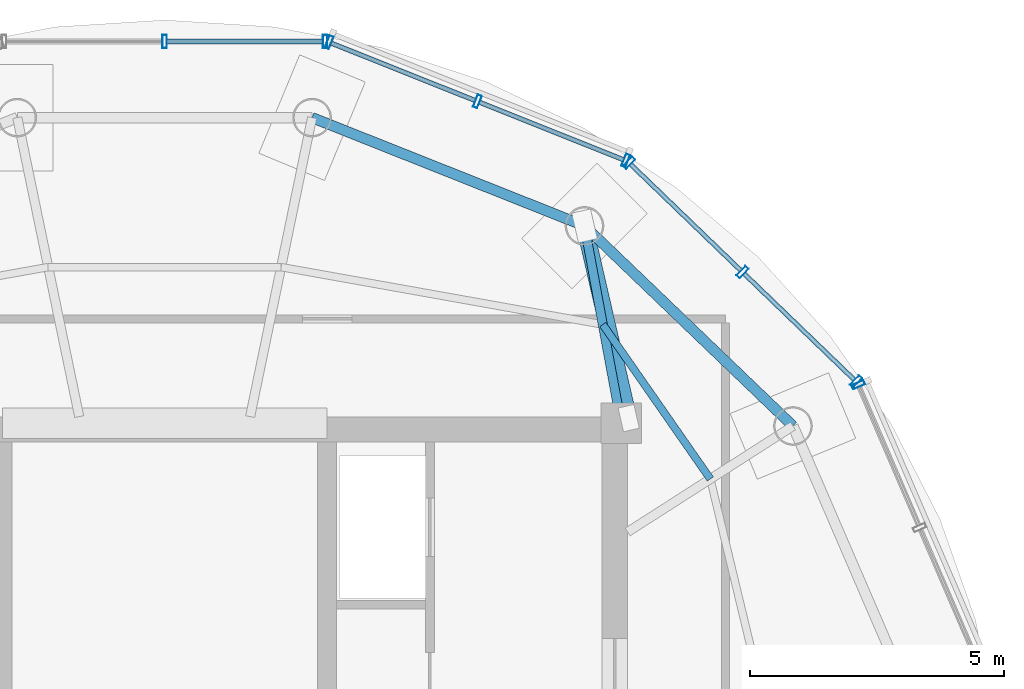
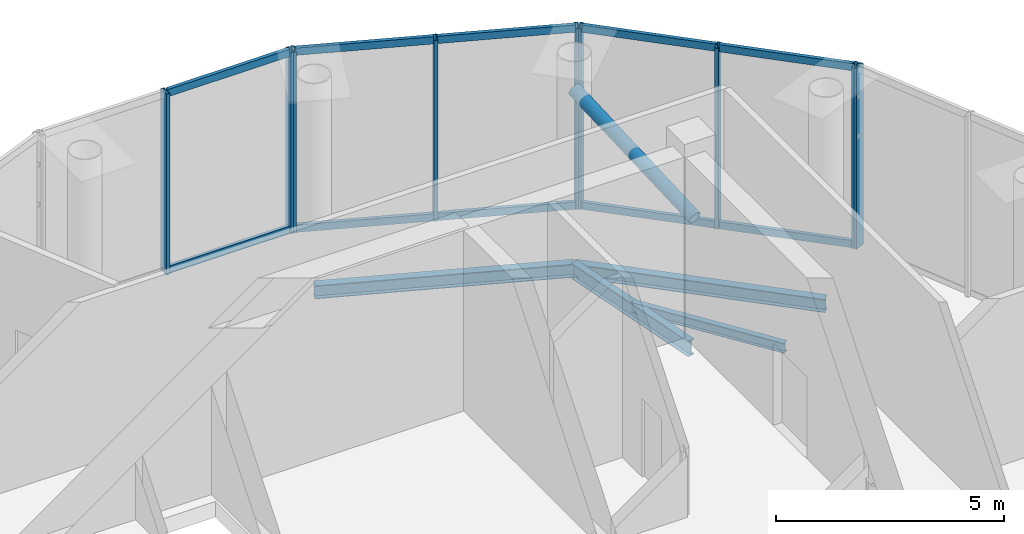
# One storey, part 8 of 13: 20 members, 4 beams, 4 elements without a shape of their own.
"""IFC4 building model written with IfcOpenShell, lengths in metres."""

from ifc_helpers import new_model, si_unit, direction, frame, origin, origin_2d, place, context, subcontext, project, spatial, hollow_rectangle, hollow_circle, i_section, extrude, source, transform, mapped, material, material_profile, profile_set, type_object, element, aggregate, save


model = new_model("IFC4")

# Units and contexts
model_context = context("Model", 3, precision=1e-05, world=origin(), true_north=direction((-0.2419218956, 0.970295726276)))
body_context = subcontext(model_context, "Body", "Model", "MODEL_VIEW")
ifc_project = project(units=[si_unit("LENGTHUNIT", "METRE"), si_unit("AREAUNIT", "SQUARE_METRE"), si_unit("VOLUMEUNIT", "CUBIC_METRE"), si_unit("PLANEANGLEUNIT", "RADIAN"), si_unit("MASSUNIT", "GRAM", prefix="KILO")], contexts=[model_context])

# Site, building, storey
site_placement = place(None, origin())
site = spatial("IfcSite", under=ifc_project, at=site_placement, CompositionType="ELEMENT")
building_placement = place(site_placement, origin())
building = spatial("IfcBuilding", under=site, at=building_placement, Name="Cobrevalo Terracotta Tower", CompositionType="ELEMENT")
storey_placement = place(building_placement, frame((0.0, 0.0, 332.10009765625)))
storey = spatial("IfcBuildingStorey", under=building, at=storey_placement, Name="L85", CompositionType="ELEMENT", Elevation=332.10009765625)

# Beams
ifc_material_1 = material(Name="Steel S355", Category="steel")
ifc_material_profile_1 = material_profile(ifc_material_1, i_section(OverallWidth=0.179931640625, OverallDepth=0.4130859375, WebThickness=0.009765625, FlangeThickness=0.01611328125, at=origin_2d()), Name="W 410x75")
ifc_profile_set_1 = profile_set([ifc_material_profile_1], Name="Steel S355")
beam_type_1 = type_object("IfcBeamType", Name="Structural Beam W 410x75 (Steel S355)", PredefinedType="BEAM", material=ifc_profile_set_1)
beam_1_placement = place(storey_placement, frame((46.278076171875, 38.68994140625, -0.626708984375), z_axis=(0.18247374128, -0.983210727028, 0.0), x_axis=(0.983210727028, 0.18247374128, 0.0)))
element("IfcBeam", 1, at=beam_1_placement, inside=storey, type_object=beam_type_1, Name="L85 radial floor girder 03", PredefinedType="BEAM", context=body_context, shape_type="SweptSolid", body=[
    extrude(i_section(OverallWidth=0.179931640625, OverallDepth=0.4130859375, WebThickness=0.009765625, FlangeThickness=0.01611328125, at=origin_2d()), origin(), (0.0, 0.0, 1.0), 3.956298828125),
])
ifc_material_profile_2 = material_profile(ifc_material_1, i_section(OverallWidth=0.14794921875, OverallDepth=0.26611328125, WebThickness=0.007568359375, FlangeThickness=0.012939453125, at=origin_2d()), Name="W 250x44.8")
ifc_profile_set_2 = profile_set([ifc_material_profile_2], Name="Steel S355")
beam_type_2 = type_object("IfcBeamType", Name="Structural Joist W 250x44.8 (Steel S355)", PredefinedType="JOIST", material=ifc_profile_set_2)
beam_2_placement = place(storey_placement, frame((48.759521484375, 33.69970703125, -0.552978515625), z_axis=(-0.571438375461, 0.82064497991, 0.0), x_axis=(-0.82064497991, -0.571438375461, 0.0)))
element("IfcBeam", 2, at=beam_2_placement, inside=storey, type_object=beam_type_2, Name="L85 circumferential secondary floor joist 02", PredefinedType="JOIST", context=body_context, shape_type="SweptSolid", body=[
    extrude(i_section(OverallWidth=0.14794921875, OverallDepth=0.26611328125, WebThickness=0.007568359375, FlangeThickness=0.012939453125, at=origin_2d()), origin(), (0.0, 0.0, 1.0), 3.7109375),
])
ifc_material_profile_3 = material_profile(ifc_material_1, i_section(OverallWidth=0.205078125, OverallDepth=0.35400390625, WebThickness=0.009521484375, FlangeThickness=0.016845703125, at=origin_2d()), Name="W 360x79")
ifc_profile_set_3 = profile_set([ifc_material_profile_3], Name="Steel S355")
beam_type_3 = type_object("IfcBeamType", Name="Structural Spandrel W 360x79 (Steel S355)", PredefinedType="SPANDREL", material=ifc_profile_set_3)
beam_3_placement = place(storey_placement, frame((50.388916015625, 34.74462890625, -0.59716796875), z_axis=(-0.72148321486, 0.69243192494, 0.0), x_axis=(-0.69243192494, -0.72148321486, 0.0)))
element("IfcBeam", 3, at=beam_3_placement, inside=storey, type_object=beam_type_3, Name="L85 perimeter ring spandrel 02", PredefinedType="SPANDREL", context=body_context, shape_type="SweptSolid", body=[
    extrude(i_section(OverallWidth=0.205078125, OverallDepth=0.35400390625, WebThickness=0.009521484375, FlangeThickness=0.016845703125, at=origin_2d()), origin(), (0.0, 0.0, 1.0), 5.69775390625),
])
beam_4_placement = place(storey_placement, frame((46.278076171875, 38.68994140625, -0.59716796875), z_axis=(-0.929266894942, 0.369409038824, 0.0), x_axis=(-0.369409038824, -0.929266894942, 0.0)))
element("IfcBeam", 4, at=beam_4_placement, inside=storey, type_object=beam_type_3, Name="L85 perimeter ring spandrel 03", PredefinedType="SPANDREL", context=body_context, shape_type="SweptSolid", body=[
    extrude(i_section(OverallWidth=0.205078125, OverallDepth=0.35400390625, WebThickness=0.009521484375, FlangeThickness=0.016845703125, at=origin_2d()), origin(), (0.0, 0.0, 1.0), 5.7802734375),
])

# Member
ifc_material_profile_4 = material_profile(ifc_material_1, hollow_circle(Radius=0.162109375, WallThickness=0.013916015625, at=origin_2d()), Name="CHS 324x14")
ifc_profile_set_4 = profile_set([ifc_material_profile_4], Name="Steel S355")
member_type_1 = type_object("IfcMemberType", Name="Steel Brace CHS 324x14 (Steel S355)", PredefinedType="BRACE", material=ifc_profile_set_4)
shared_shape_1 = source(origin(), body_context, "Body", "SweptSolid", [
    extrude(hollow_circle(Radius=0.162109375, WallThickness=0.013916015625, at=origin_2d()), origin(), (0.0, 0.0, 1.0), 4.150634765625),
])
member_1_placement = place(storey_placement, frame((47.14990234375, 34.89990234375, 2.75), z_axis=(-0.210052159385, 0.913147499943, 0.349341857908), x_axis=(-0.974548603832, -0.224176311794, 0.0)))
element("IfcMember", 5, at=member_1_placement, inside=storey, type_object=member_type_1, Name="L85 CROWN FRAME radial brace 01", PredefinedType="BRACE", context=body_context, shape_type="MappedRepresentation", body=[
    mapped(shared_shape_1, transform((0.0, 0.0, 0.0), scale=1.0)),
])

# Curtain wall, members
ifc_material_2 = material(Name="Anodized aluminium", Category="aluminium")
curtain_wall_type = type_object("IfcCurtainWallType", Name="Faceted glass-point crown structural glazing system CW-CR", PredefinedType="NOTDEFINED", material=ifc_material_2)
curtain_wall_1_placement = place(storey_placement, origin())
curtain_wall_1 = element("IfcCurtainWall", 6, at=curtain_wall_1_placement, inside=storey, type_object=curtain_wall_type, Name="L85 curtain wall CW-CRN-L85-S02", PredefinedType="NOTDEFINED")
ifc_material_profile_5 = material_profile(ifc_material_2, hollow_rectangle(XDim=0.090087890625, YDim=0.195068359375, WallThickness=0.005615234375, at=origin_2d()), Name="CWT 90x195")
ifc_profile_set_5 = profile_set([ifc_material_profile_5], Name="Anodized aluminium")
member_type_2 = type_object("IfcMemberType", Name="Crown structural aluminium transom 90x195", PredefinedType="USERDEFINED", material=ifc_profile_set_5)
shared_shape_2 = source(origin(), body_context, "Body", "SweptSolid", [
    extrude(hollow_rectangle(XDim=0.090087890625, YDim=0.195068359375, WallThickness=0.005615234375, at=origin_2d()), origin(), (0.0, 0.0, 1.0), 3.027587890625),
])
member_2_placement = place(storey_placement, frame((51.603515625, 35.650146484375, 0.0498046875), z_axis=(-0.720129171854, 0.693840021795, 0.0), x_axis=(-0.693840021795, -0.720129171854, 0.0)))
member_2 = element("IfcMember", 7, at=member_2_placement, type_object=member_type_2, Name="CW-CRN-L85-S02 transom B01-T1", ObjectType="TRANSOM", PredefinedType="USERDEFINED", context=body_context, shape_type="MappedRepresentation", body=[
    mapped(shared_shape_2, transform((0.0, 0.0, 0.0), scale=1.0)),
])
member_3_placement = place(storey_placement, frame((51.603515625, 35.650146484375, 4.7998046875), z_axis=(-0.720129171854, 0.693840021795, 0.0), x_axis=(-0.693840021795, -0.720129171854, 0.0)))
member_3 = element("IfcMember", 8, at=member_3_placement, type_object=member_type_2, Name="CW-CRN-L85-S02 transom B01-T2", ObjectType="TRANSOM", PredefinedType="USERDEFINED", context=body_context, shape_type="MappedRepresentation", body=[
    mapped(shared_shape_2, transform((0.0, 0.0, 0.0), scale=1.0)),
])
member_4_placement = place(storey_placement, frame((49.36572265625, 37.80615234375, 0.0498046875), z_axis=(-0.720129171854, 0.693840021795, 0.0), x_axis=(-0.693840021795, -0.720129171854, 0.0)))
member_4 = element("IfcMember", 9, at=member_4_placement, type_object=member_type_2, Name="CW-CRN-L85-S02 transom B02-T1", ObjectType="TRANSOM", PredefinedType="USERDEFINED", context=body_context, shape_type="MappedRepresentation", body=[
    mapped(shared_shape_2, transform((0.0, 0.0, 0.0), scale=1.0)),
])
member_5_placement = place(storey_placement, frame((49.36572265625, 37.80615234375, 4.7998046875), z_axis=(-0.720129171854, 0.693840021795, 0.0), x_axis=(-0.693840021795, -0.720129171854, 0.0)))
member_5 = element("IfcMember", 10, at=member_5_placement, type_object=member_type_2, Name="CW-CRN-L85-S02 transom B02-T2", ObjectType="TRANSOM", PredefinedType="USERDEFINED", context=body_context, shape_type="MappedRepresentation", body=[
    mapped(shared_shape_2, transform((0.0, 0.0, 0.0), scale=1.0)),
])

curtain_wall_2_placement = place(storey_placement, origin())
curtain_wall_2 = element("IfcCurtainWall", 11, at=curtain_wall_2_placement, inside=storey, type_object=curtain_wall_type, Name="L85 curtain wall CW-CRN-L85-S03", PredefinedType="NOTDEFINED")
shared_shape_3 = source(origin(), body_context, "Body", "SweptSolid", [
    extrude(hollow_rectangle(XDim=0.090087890625, YDim=0.195068359375, WallThickness=0.005615234375, at=origin_2d()), origin(), (0.0, 0.0, 1.0), 3.068359375),
])
member_6_placement = place(storey_placement, frame((47.0537109375, 39.99169921875, 0.0498046875), z_axis=(-0.928756274811, 0.370690952141, 0.0), x_axis=(-0.370690952141, -0.928756274811, 0.0)))
member_6 = element("IfcMember", 12, at=member_6_placement, type_object=member_type_2, Name="CW-CRN-L85-S03 transom B01-T1", ObjectType="TRANSOM", PredefinedType="USERDEFINED", context=body_context, shape_type="MappedRepresentation", body=[
    mapped(shared_shape_3, transform((0.0, 0.0, 0.0), scale=1.0)),
])
member_7_placement = place(storey_placement, frame((47.0537109375, 39.99169921875, 4.7998046875), z_axis=(-0.928756274811, 0.370690952141, 0.0), x_axis=(-0.370690952141, -0.928756274811, 0.0)))
member_7 = element("IfcMember", 13, at=member_7_placement, type_object=member_type_2, Name="CW-CRN-L85-S03 transom B01-T2", ObjectType="TRANSOM", PredefinedType="USERDEFINED", context=body_context, shape_type="MappedRepresentation", body=[
    mapped(shared_shape_3, transform((0.0, 0.0, 0.0), scale=1.0)),
])
shared_shape_4 = source(origin(), body_context, "Body", "SweptSolid", [
    extrude(hollow_rectangle(XDim=0.090087890625, YDim=0.195068359375, WallThickness=0.005615234375, at=origin_2d()), origin(), (0.0, 0.0, 1.0), 3.068603515625),
])
member_8_placement = place(storey_placement, frame((44.129638671875, 41.158935546875, 0.0498046875), z_axis=(-0.928794593829, 0.370594930448, 0.0), x_axis=(-0.370594930448, -0.928794593829, 0.0)))
member_8 = element("IfcMember", 14, at=member_8_placement, type_object=member_type_2, Name="CW-CRN-L85-S03 transom B02-T1", ObjectType="TRANSOM", PredefinedType="USERDEFINED", context=body_context, shape_type="MappedRepresentation", body=[
    mapped(shared_shape_4, transform((0.0, 0.0, 0.0), scale=1.0)),
])
member_9_placement = place(storey_placement, frame((44.129638671875, 41.158935546875, 4.7998046875), z_axis=(-0.928794593829, 0.370594930448, 0.0), x_axis=(-0.370594930448, -0.928794593829, 0.0)))
member_9 = element("IfcMember", 15, at=member_9_placement, type_object=member_type_2, Name="CW-CRN-L85-S03 transom B02-T2", ObjectType="TRANSOM", PredefinedType="USERDEFINED", context=body_context, shape_type="MappedRepresentation", body=[
    mapped(shared_shape_4, transform((0.0, 0.0, 0.0), scale=1.0)),
])

curtain_wall_3_placement = place(storey_placement, origin())
curtain_wall_3 = element("IfcCurtainWall", 16, at=curtain_wall_3_placement, inside=storey, type_object=curtain_wall_type, Name="L85 curtain wall CW-CRN-L85-S04", PredefinedType="NOTDEFINED")
shared_shape_5 = source(origin(), body_context, "Body", "SweptSolid", [
    extrude(hollow_rectangle(XDim=0.090087890625, YDim=0.195068359375, WallThickness=0.005615234375, at=origin_2d()), origin(), (0.0, 0.0, 1.0), 3.085205078125),
])
member_10_placement = place(storey_placement, frame((41.125244140625, 42.325927734375, 0.0498046875), z_axis=(-1.0, 0.0, 0.0), x_axis=(0.0, -1.0, 0.0)))
member_10 = element("IfcMember", 17, at=member_10_placement, type_object=member_type_2, Name="CW-CRN-L85-S04 transom B01-T1", ObjectType="TRANSOM", PredefinedType="USERDEFINED", context=body_context, shape_type="MappedRepresentation", body=[
    mapped(shared_shape_5, transform((0.0, 0.0, 0.0), scale=1.0)),
])
member_11_placement = place(storey_placement, frame((41.125244140625, 42.325927734375, 4.7998046875), z_axis=(-1.0, 0.0, 0.0), x_axis=(0.0, -1.0, 0.0)))
member_11 = element("IfcMember", 18, at=member_11_placement, type_object=member_type_2, Name="CW-CRN-L85-S04 transom B01-T2", ObjectType="TRANSOM", PredefinedType="USERDEFINED", context=body_context, shape_type="MappedRepresentation", body=[
    mapped(shared_shape_5, transform((0.0, 0.0, 0.0), scale=1.0)),
])

# Curtain wall, member
curtain_wall_4_placement = place(storey_placement, origin())
curtain_wall_4 = element("IfcCurtainWall", 19, at=curtain_wall_4_placement, inside=storey, type_object=curtain_wall_type, Name="L85 curtain wall CW-CRN-L85-S01", PredefinedType="NOTDEFINED")
ifc_material_profile_6 = material_profile(ifc_material_2, hollow_rectangle(XDim=0.090087890625, YDim=0.260009765625, WallThickness=0.006103515625, at=origin_2d()), Name="CWM 90x260")
ifc_profile_set_6 = profile_set([ifc_material_profile_6], Name="Anodized aluminium")
member_type_3 = type_object("IfcMemberType", Name="Crown structural glass mullion 90x260", PredefinedType="MULLION", material=ifc_profile_set_6)
shared_shape_6 = source(origin(), body_context, "Body", "SweptSolid", [
    extrude(hollow_rectangle(XDim=0.090087890625, YDim=0.260009765625, WallThickness=0.006103515625, at=origin_2d()), origin(), (0.0, 0.0, 1.0), 4.849853515625),
])
member_12_placement = place(storey_placement, frame((51.6767578125, 35.557861328125, 0.0), z_axis=(0.0, 0.0, 1.0), x_axis=(-0.394968347643, 0.918694728602, 0.0)))
member_12 = element("IfcMember", 20, at=member_12_placement, type_object=member_type_3, Name="CW-CRN-L85-S01 vertical mullion 03", PredefinedType="MULLION", context=body_context, shape_type="MappedRepresentation", body=[
    mapped(shared_shape_6, transform((0.0, 0.0, 0.0), scale=1.0)),
])
aggregate(curtain_wall_4, [member_12])

# Member
member_13_placement = place(storey_placement, frame((51.63232421875, 35.622314453125, 0.0), z_axis=(0.0, 0.0, 1.0), x_axis=(-0.72013951191, 0.693829289801, 0.0)))
member_13 = element("IfcMember", 21, at=member_13_placement, type_object=member_type_3, Name="CW-CRN-L85-S02 vertical mullion 01", PredefinedType="MULLION", context=body_context, shape_type="MappedRepresentation", body=[
    mapped(shared_shape_6, transform((0.0, 0.0, 0.0), scale=1.0)),
])

member_14_placement = place(storey_placement, frame((49.39453125, 37.7783203125, 0.0), z_axis=(0.0, 0.0, 1.0), x_axis=(-0.72013951191, 0.693829289801, 0.0)))
member_14 = element("IfcMember", 22, at=member_14_placement, type_object=member_type_3, Name="CW-CRN-L85-S02 vertical mullion 02", PredefinedType="MULLION", context=body_context, shape_type="MappedRepresentation", body=[
    mapped(shared_shape_6, transform((0.0, 0.0, 0.0), scale=1.0)),
])

member_15_placement = place(storey_placement, frame((47.15673828125, 39.934326171875, 0.0), z_axis=(0.0, 0.0, 1.0), x_axis=(-0.72013951191, 0.693829289801, 0.0)))
member_15 = element("IfcMember", 23, at=member_15_placement, type_object=member_type_3, Name="CW-CRN-L85-S02 vertical mullion 03", PredefinedType="MULLION", context=body_context, shape_type="MappedRepresentation", body=[
    mapped(shared_shape_6, transform((0.0, 0.0, 0.0), scale=1.0)),
])

aggregate(curtain_wall_1, [member_13, member_14, member_15, member_2, member_3, member_4, member_5])

member_16_placement = place(storey_placement, frame((47.0908203125, 39.97705078125, 0.0), z_axis=(0.0, 0.0, 1.0), x_axis=(-0.928770743095, 0.370654700187, 0.0)))
member_16 = element("IfcMember", 24, at=member_16_placement, type_object=member_type_3, Name="CW-CRN-L85-S03 vertical mullion 01", PredefinedType="MULLION", context=body_context, shape_type="MappedRepresentation", body=[
    mapped(shared_shape_6, transform((0.0, 0.0, 0.0), scale=1.0)),
])

member_17_placement = place(storey_placement, frame((44.166748046875, 41.14404296875, 0.0), z_axis=(0.0, 0.0, 1.0), x_axis=(-0.928770743095, 0.370654700187, 0.0)))
member_17 = element("IfcMember", 25, at=member_17_placement, type_object=member_type_3, Name="CW-CRN-L85-S03 vertical mullion 02", PredefinedType="MULLION", context=body_context, shape_type="MappedRepresentation", body=[
    mapped(shared_shape_6, transform((0.0, 0.0, 0.0), scale=1.0)),
])

member_18_placement = place(storey_placement, frame((41.242431640625, 42.31103515625, 0.0), z_axis=(0.0, 0.0, 1.0), x_axis=(-0.928770743095, 0.370654700187, 0.0)))
member_18 = element("IfcMember", 26, at=member_18_placement, type_object=member_type_3, Name="CW-CRN-L85-S03 vertical mullion 03", PredefinedType="MULLION", context=body_context, shape_type="MappedRepresentation", body=[
    mapped(shared_shape_6, transform((0.0, 0.0, 0.0), scale=1.0)),
])

aggregate(curtain_wall_2, [member_16, member_17, member_18, member_6, member_7, member_8, member_9])

member_19_placement = place(storey_placement, frame((41.165283203125, 42.325927734375, 0.0), z_axis=(0.0, 0.0, 1.0), x_axis=(-1.0, 0.0, 0.0)))
member_19 = element("IfcMember", 27, at=member_19_placement, type_object=member_type_3, Name="CW-CRN-L85-S04 vertical mullion 01", PredefinedType="MULLION", context=body_context, shape_type="MappedRepresentation", body=[
    mapped(shared_shape_6, transform((0.0, 0.0, 0.0), scale=1.0)),
])

member_20_placement = place(storey_placement, frame((38.0, 42.325927734375, 0.0), z_axis=(0.0, 0.0, 1.0), x_axis=(-1.0, 0.0, 0.0)))
member_20 = element("IfcMember", 28, at=member_20_placement, type_object=member_type_3, Name="CW-CRN-L85-S04 vertical mullion 02", PredefinedType="MULLION", context=body_context, shape_type="MappedRepresentation", body=[
    mapped(shared_shape_6, transform((0.0, 0.0, 0.0), scale=1.0)),
])

aggregate(curtain_wall_3, [member_19, member_20, member_10, member_11])

save(model, "model.ifc")
